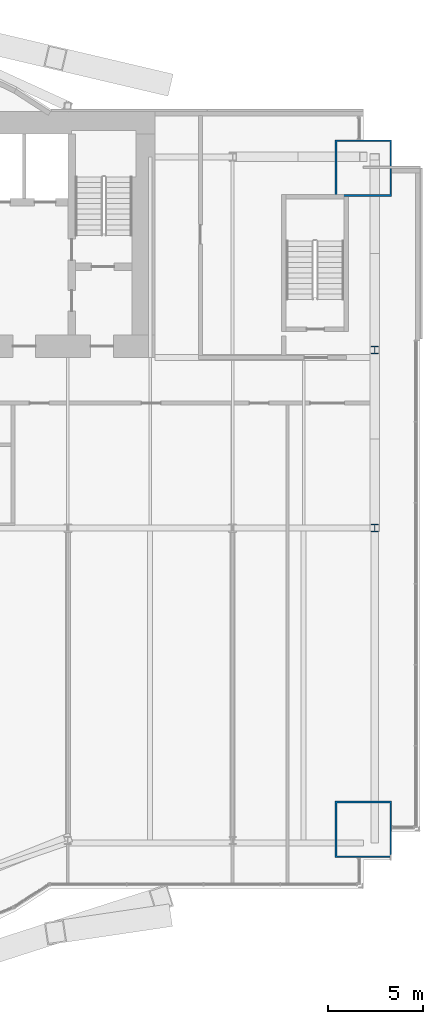
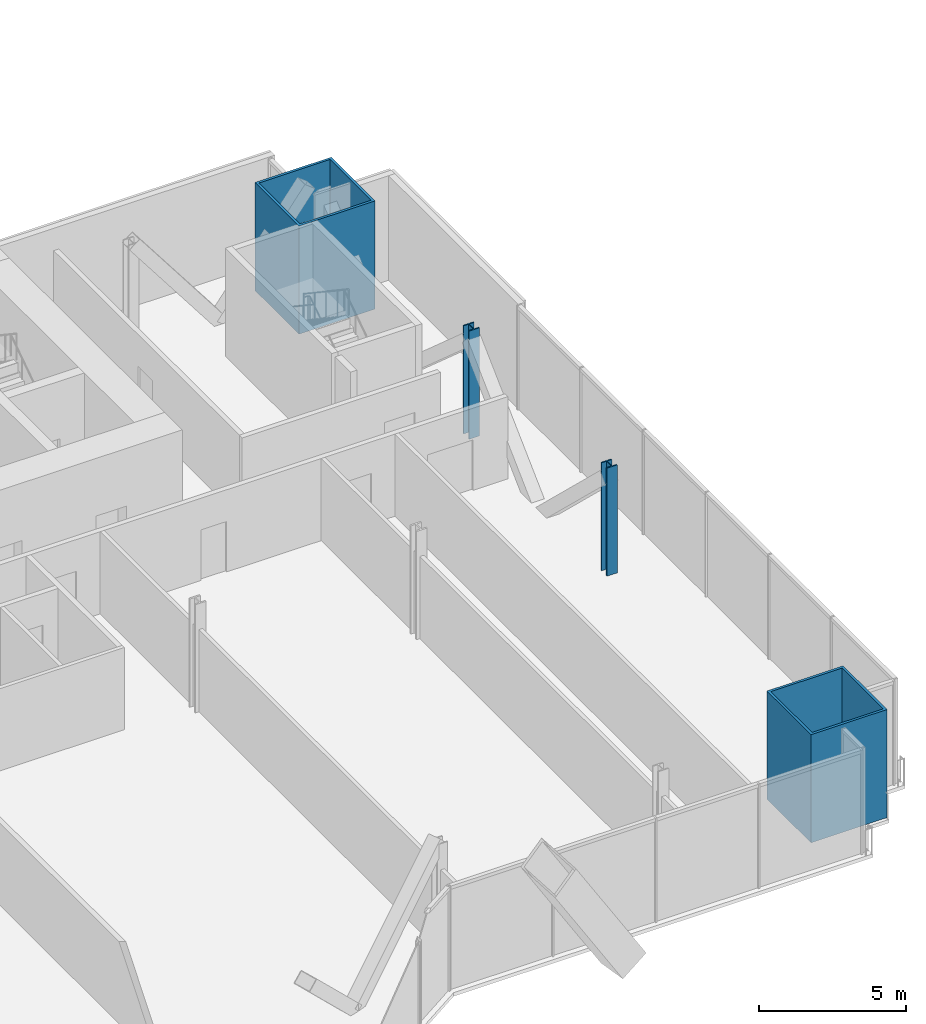
# One storey, part 3 of 23: 4 columns.
"""IFC4 building model written with IfcOpenShell, lengths in metres."""

from ifc_helpers import new_model, si_unit, direction, frame, origin, origin_2d, place, context, subcontext, project, spatial, hollow_rectangle, i_section, extrude, material, material_profile, profile_set, type_object, element, save


model = new_model("IFC4")

# Units and contexts
model_context = context("Model", 3, precision=1e-05, world=origin(), true_north=direction((0.0, 1.0)))
body_context = subcontext(model_context, "Body", "Model", "MODEL_VIEW")
ifc_project = project(units=[si_unit("LENGTHUNIT", "METRE"), si_unit("AREAUNIT", "SQUARE_METRE"), si_unit("VOLUMEUNIT", "CUBIC_METRE"), si_unit("PLANEANGLEUNIT", "RADIAN"), si_unit("MASSUNIT", "GRAM", prefix="KILO")], contexts=[model_context])

# Site, building, storey
site_placement = place(None, origin())
site = spatial("IfcSite", under=ifc_project, at=site_placement, CompositionType="ELEMENT")
building_placement = place(site_placement, origin())
building = spatial("IfcBuilding", under=site, at=building_placement, Name="Bicima Exchange Tower", CompositionType="ELEMENT")
storey_placement = place(building_placement, frame((0.0, 0.0, 53.0)))
storey = spatial("IfcBuildingStorey", under=building, at=storey_placement, Name="L10", CompositionType="ELEMENT", Elevation=53.0)

# Columns
ifc_material_1 = material(Name="Steel ASTM A572 Gr 50", Category="steel")
ifc_material_profile_1 = material_profile(ifc_material_1, hollow_rectangle(XDim=3.0, YDim=3.0, WallThickness=0.10009765625, at=origin_2d()))
ifc_profile_set_1 = profile_set([ifc_material_profile_1], Name="Steel ASTM A572 Gr 50")
column_type_1 = type_object("IfcColumnType", Name="Mega column BOX 3000x3000x100", PredefinedType="COLUMN", material=ifc_profile_set_1)
for number, where, z_axis, x_axis, name in (
    (1, (33.0, -37.902099609375, 0.0), (0.0, 0.0, 1.0), (1.0, 0.0, 0.0), "Mega column mega+33.0f"),
    (2, (33.0, -3.0, 0.0), (0.0, 0.0, 1.0), (1.0, 0.0, 0.0), "Mega column mega+33.0r"),
):
    element("IfcColumn", number, at=place(storey_placement, frame(where, z_axis=z_axis, x_axis=x_axis)), inside=storey, type_object=column_type_1, Name=name, PredefinedType="COLUMN", context=body_context, shape_type="SweptSolid", body=[
        extrude(hollow_rectangle(XDim=3.0, YDim=3.0, WallThickness=0.10009765625, at=origin_2d()), origin(), (0.0, 0.0, 1.0), 4.5),
    ])
ifc_material_2 = material(Name="Steel ASTM A992 Gr 50", Category="steel")
ifc_material_profile_2 = material_profile(ifc_material_2, i_section(OverallWidth=0.406494140625, OverallDepth=0.41650390625, WebThickness=0.030029296875, FlangeThickness=0.048095703125, at=origin_2d()))
ifc_profile_set_2 = profile_set([ifc_material_profile_2], Name="Steel ASTM A992 Gr 50")
column_type_2 = type_object("IfcColumnType", Name="Perimeter column W14x257", PredefinedType="COLUMN", material=ifc_profile_set_2)
for number, where, z_axis, x_axis, name in (
    (3, (33.60009765625, -12.60009765625, 0.0), (0.0, 0.0, 1.0), (1.0, 0.0, 0.0), "End column end+33.6e"),
    (4, (33.60009765625, -22.0, 0.0), (0.0, 0.0, 1.0), (1.0, 0.0, 0.0), "End column end+33.6e"),
):
    element("IfcColumn", number, at=place(storey_placement, frame(where, z_axis=z_axis, x_axis=x_axis)), inside=storey, type_object=column_type_2, Name=name, PredefinedType="COLUMN", context=body_context, shape_type="SweptSolid", body=[
        extrude(i_section(OverallWidth=0.406494140625, OverallDepth=0.41650390625, WebThickness=0.030029296875, FlangeThickness=0.048095703125, at=origin_2d()), origin(), (0.0, 0.0, 1.0), 4.5),
    ])

save(model, "model.ifc")
